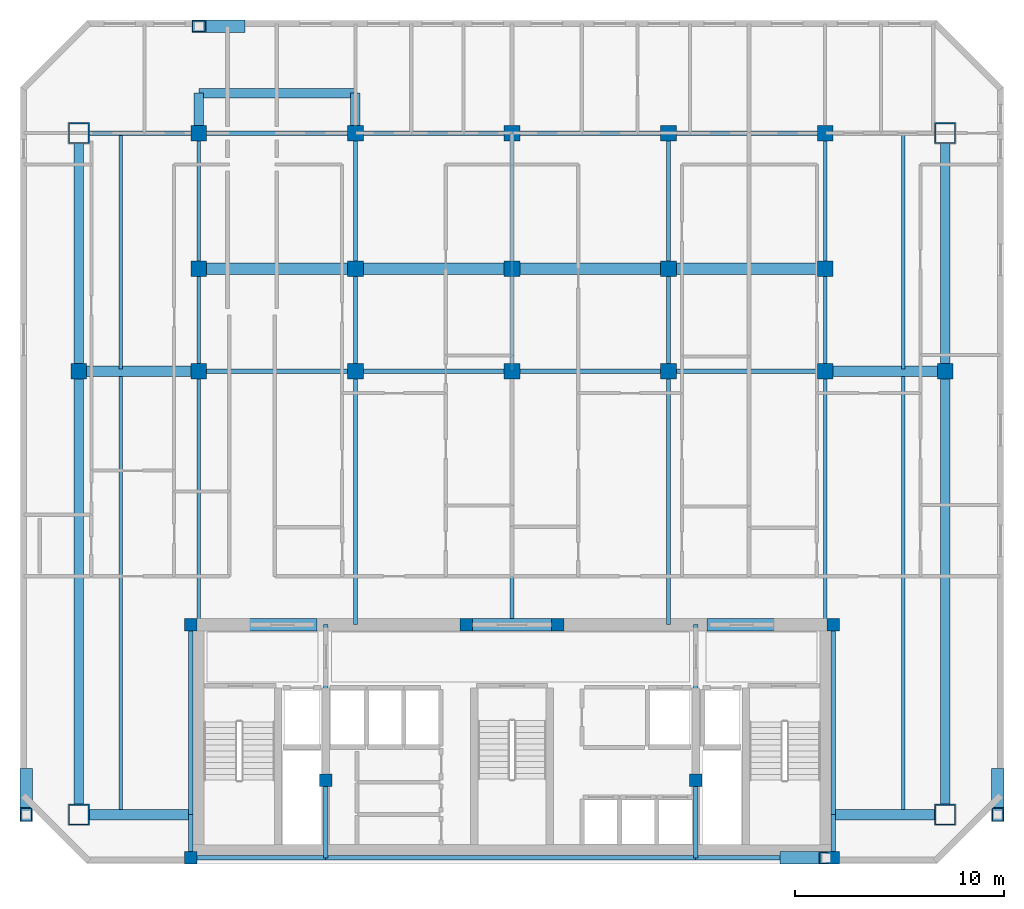
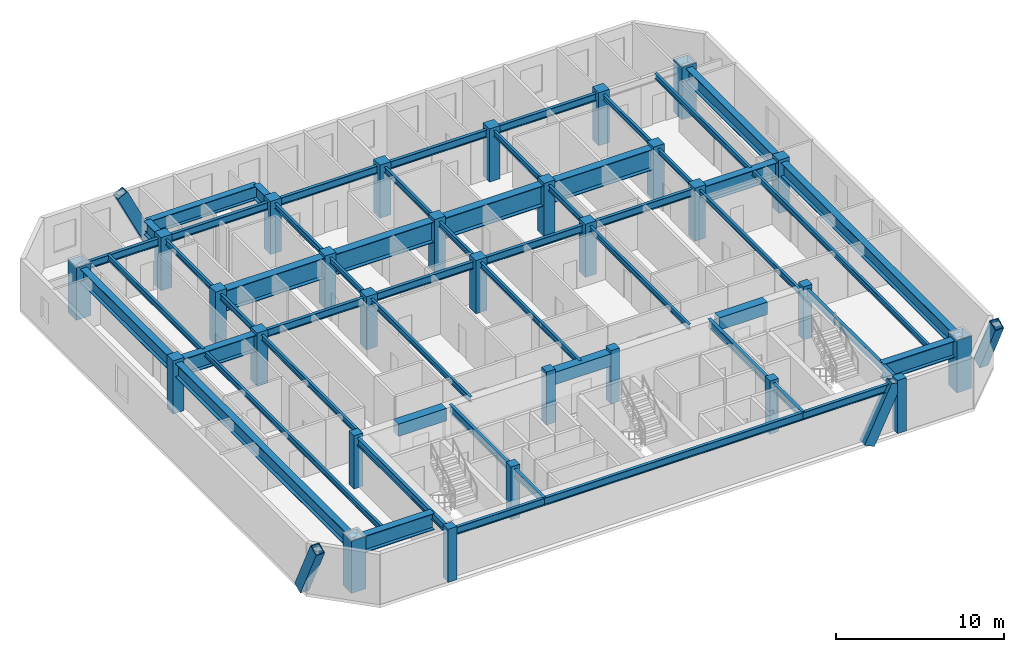
# One storey, part 1 of 9: 50 beams, 29 columns, 4 members.
"""IFC4 building model written with IfcOpenShell, lengths in metres."""

from ifc_helpers import new_model, si_unit, direction, frame, origin, origin_2d, place, context, subcontext, project, spatial, rectangle, hollow_rectangle, i_section, extrude, material, material_profile, profile_set, type_object, element, save


model = new_model("IFC4")

# Units and contexts
model_context = context("Model", 3, precision=1e-05, world=origin(), true_north=direction((0.0, 1.0)))
body_context = subcontext(model_context, "Body", "Model", "MODEL_VIEW")
ifc_project = project(units=[si_unit("LENGTHUNIT", "METRE"), si_unit("AREAUNIT", "SQUARE_METRE"), si_unit("VOLUMEUNIT", "CUBIC_METRE"), si_unit("PLANEANGLEUNIT", "RADIAN"), si_unit("MASSUNIT", "GRAM", prefix="KILO")], contexts=[model_context])

# Site, building, storey
site_placement = place(None, origin())
site = spatial("IfcSite", under=ifc_project, at=site_placement, CompositionType="ELEMENT")
building_placement = place(site_placement, origin())
building = spatial("IfcBuilding", under=site, at=building_placement, Name="Ventersveld Concourse Tower", CompositionType="ELEMENT")
storey_placement = place(building_placement, frame((0.0, 0.0, 215.699951171875)))
storey = spatial("IfcBuildingStorey", under=building, at=storey_placement, Name="L53", CompositionType="ELEMENT", Elevation=215.699951171875)

# Columns
ifc_material_1 = material(Name="Concrete C50/60", Category="concrete")
ifc_material_profile_1 = material_profile(ifc_material_1, rectangle(XDim=0.60009765625, YDim=0.60009765625, at=origin_2d()), Name="RC 600x600")
ifc_profile_set_1 = profile_set([ifc_material_profile_1], Name="Concrete C50/60")
column_type_1 = type_object("IfcColumnType", Name="COL-RC600", PredefinedType="COLUMN", material=ifc_profile_set_1)
for number, where, z_axis, x_axis, name in (
    (1, (13.35009765625, 0.280029296875, 0.0), (0.0, 0.0, 1.0), (1.0, 0.0, 0.0), "L53 Core Spine Column CC-SW"),
    (2, (44.14990234375, 0.280029296875, 0.0), (0.0, 0.0, 1.0), (1.0, 0.0, 0.0), "L53 Core Spine Column CC-SE"),
    (3, (13.35009765625, 11.449951171875, 0.0), (0.0, 0.0, 1.0), (1.0, 0.0, 0.0), "L53 Core Spine Column CC-NW"),
    (4, (44.14990234375, 11.449951171875, 0.0), (0.0, 0.0, 1.0), (1.0, 0.0, 0.0), "L53 Core Spine Column CC-NE"),
    (5, (19.820068359375, 4.0, 0.0), (0.0, 0.0, 1.0), (1.0, 0.0, 0.0), "L53 Core Spine Column CM-1"),
    (6, (37.550048828125, 4.0, 0.0), (0.0, 0.0, 1.0), (1.0, 0.0, 0.0), "L53 Core Spine Column CM-2"),
    (7, (26.550048828125, 11.449951171875, 0.0), (0.0, 0.0, 1.0), (1.0, 0.0, 0.0), "L53 Core Spine Column CM-3"),
    (8, (30.949951171875, 11.449951171875, 0.0), (0.0, 0.0, 1.0), (1.0, 0.0, 0.0), "L53 Core Spine Column CM-4"),
):
    element("IfcColumn", number, at=place(storey_placement, frame(where, z_axis=z_axis, x_axis=x_axis)), inside=storey, type_object=column_type_1, Name=name, PredefinedType="COLUMN", context=body_context, shape_type="SweptSolid", body=[
        extrude(rectangle(XDim=0.60009765625, YDim=0.60009765625, at=origin_2d()), origin(), (0.0, 0.0, 1.0), 3.85009765625),
    ])
ifc_material_profile_2 = material_profile(ifc_material_1, rectangle(XDim=0.75, YDim=0.75, at=origin_2d()), Name="RC 750x750")
ifc_profile_set_2 = profile_set([ifc_material_profile_2], Name="Concrete C50/60")
column_type_2 = type_object("IfcColumnType", Name="COL-RC750", PredefinedType="COLUMN", material=ifc_profile_set_2)
for number, where, z_axis, x_axis, name in (
    (9, (8.0, 23.60009765625, 0.0), (0.0, 0.0, 1.0), (1.0, 0.0, 0.0), "L53 Interior Gravity Column X=8.00 Y=23.60"),
    (10, (13.75, 23.60009765625, 0.0), (0.0, 0.0, 1.0), (1.0, 0.0, 0.0), "L53 Interior Gravity Column X=13.75 Y=23.60"),
    (11, (21.25, 23.60009765625, 0.0), (0.0, 0.0, 1.0), (1.0, 0.0, 0.0), "L53 Interior Gravity Column X=21.25 Y=23.60"),
    (12, (28.75, 23.60009765625, 0.0), (0.0, 0.0, 1.0), (1.0, 0.0, 0.0), "L53 Interior Gravity Column X=28.75 Y=23.60"),
    (13, (36.25, 23.60009765625, 0.0), (0.0, 0.0, 1.0), (1.0, 0.0, 0.0), "L53 Interior Gravity Column X=36.25 Y=23.60"),
    (14, (43.75, 23.60009765625, 0.0), (0.0, 0.0, 1.0), (1.0, 0.0, 0.0), "L53 Interior Gravity Column X=43.75 Y=23.60"),
    (15, (49.5, 23.60009765625, 0.0), (0.0, 0.0, 1.0), (1.0, 0.0, 0.0), "L53 Interior Gravity Column X=49.50 Y=23.60"),
    (16, (13.75, 28.5, 0.0), (0.0, 0.0, 1.0), (1.0, 0.0, 0.0), "L53 Upper-North Gravity Column X=13.75 Y=28.50"),
    (17, (21.25, 28.5, 0.0), (0.0, 0.0, 1.0), (1.0, 0.0, 0.0), "L53 Upper-North Gravity Column X=21.25 Y=28.50"),
    (18, (28.75, 28.5, 0.0), (0.0, 0.0, 1.0), (1.0, 0.0, 0.0), "L53 Upper-North Gravity Column X=28.75 Y=28.50"),
    (19, (36.25, 28.5, 0.0), (0.0, 0.0, 1.0), (1.0, 0.0, 0.0), "L53 Upper-North Gravity Column X=36.25 Y=28.50"),
    (20, (43.75, 28.5, 0.0), (0.0, 0.0, 1.0), (1.0, 0.0, 0.0), "L53 Upper-North Gravity Column X=43.75 Y=28.50"),
    (21, (13.75, 35.0, 0.0), (0.0, 0.0, 1.0), (1.0, 0.0, 0.0), "L53 Mid-North Column X=13.75 Y=35.00"),
    (22, (21.25, 35.0, 0.0), (0.0, 0.0, 1.0), (1.0, 0.0, 0.0), "L53 Mid-North Column X=21.25 Y=35.00"),
    (23, (28.75, 35.0, 0.0), (0.0, 0.0, 1.0), (1.0, 0.0, 0.0), "L53 Mid-North Column X=28.75 Y=35.00"),
    (24, (36.25, 35.0, 0.0), (0.0, 0.0, 1.0), (1.0, 0.0, 0.0), "L53 Mid-North Column X=36.25 Y=35.00"),
    (25, (43.75, 35.0, 0.0), (0.0, 0.0, 1.0), (1.0, 0.0, 0.0), "L53 Mid-North Column X=43.75 Y=35.00"),
):
    element("IfcColumn", number, at=place(storey_placement, frame(where, z_axis=z_axis, x_axis=x_axis)), inside=storey, type_object=column_type_2, Name=name, PredefinedType="COLUMN", context=body_context, shape_type="SweptSolid", body=[
        extrude(rectangle(XDim=0.75, YDim=0.75, at=origin_2d()), origin(), (0.0, 0.0, 1.0), 3.85009765625),
    ])
ifc_material_2 = material(Name="Structural steel S460ML", Category="steel")
ifc_material_profile_3 = material_profile(ifc_material_2, hollow_rectangle(XDim=1.0, YDim=1.0, WallThickness=0.06005859375, at=origin_2d()), Name="BOX 1000x1000x60")
ifc_profile_set_3 = profile_set([ifc_material_profile_3], Name="Structural steel S460ML")
column_type_3 = type_object("IfcColumnType", Name="MC-1000", PredefinedType="USERDEFINED", material=ifc_profile_set_3)
for number, where, z_axis, x_axis, name in (
    (26, (8.0, 2.35009765625, 0.0), (0.0, 0.0, 1.0), (1.0, 0.0, 0.0), "L53 Corner Mega-Column MC-SW"),
    (27, (49.5, 2.35009765625, 0.0), (0.0, 0.0, 1.0), (1.0, 0.0, 0.0), "L53 Corner Mega-Column MC-SE"),
    (28, (49.5, 35.0, 0.0), (0.0, 0.0, 1.0), (1.0, 0.0, 0.0), "L53 Corner Mega-Column MC-NE"),
    (29, (8.0, 35.0, 0.0), (0.0, 0.0, 1.0), (1.0, 0.0, 0.0), "L53 Corner Mega-Column MC-NW"),
):
    element("IfcColumn", number, at=place(storey_placement, frame(where, z_axis=z_axis, x_axis=x_axis)), inside=storey, type_object=column_type_3, Name=name, ObjectType="MEGA_COLUMN", PredefinedType="USERDEFINED", context=body_context, shape_type="SweptSolid", body=[
        extrude(hollow_rectangle(XDim=1.0, YDim=1.0, WallThickness=0.06005859375, at=origin_2d()), origin(), (0.0, 0.0, 1.0), 3.800048828125),
    ])

# Beams
ifc_material_3 = material(Name="Structural steel S355J2", Category="steel")
ifc_material_profile_4 = material_profile(ifc_material_3, i_section(OverallWidth=0.177978515625, OverallDepth=0.406494140625, WebThickness=0.0078125, FlangeThickness=0.0126953125, FilletRadius=0.01025390625, at=origin_2d()), Name="UB 406x178x60")
ifc_profile_set_4 = profile_set([ifc_material_profile_4], Name="Structural steel S355J2")
beam_type_1 = type_object("IfcBeamType", Name="BM-UB406", PredefinedType="BEAM", material=ifc_profile_set_4)
beam_1_placement = place(storey_placement, frame((10.0, 2.35009765625, 3.4267578125), z_axis=(0.0, 1.0, 0.0), x_axis=(-1.0, 0.0, 0.0)))
element("IfcBeam", 30, at=beam_1_placement, inside=storey, type_object=beam_type_1, Name="L53 N-S Composite Floor Beam South X=10.00", PredefinedType="BEAM", context=body_context, shape_type="SweptSolid", body=[
    extrude(i_section(OverallWidth=0.177978515625, OverallDepth=0.406494140625, WebThickness=0.0078125, FlangeThickness=0.0126953125, FilletRadius=0.01025390625, at=origin_2d()), origin(), (0.0, 0.0, 1.0), 21.15478515625),
])
beam_2_placement = place(storey_placement, frame((10.0, 23.695068359375, 3.4267578125), z_axis=(0.0, 1.0, 0.0), x_axis=(-1.0, 0.0, 0.0)))
element("IfcBeam", 31, at=beam_2_placement, inside=storey, type_object=beam_type_1, Name="L53 N-S Composite Floor Beam Mid X=10.00", PredefinedType="BEAM", context=body_context, shape_type="SweptSolid", body=[
    extrude(i_section(OverallWidth=0.177978515625, OverallDepth=0.406494140625, WebThickness=0.0078125, FlangeThickness=0.0126953125, FilletRadius=0.01025390625, at=origin_2d()), origin(), (0.0, 0.0, 1.0), 11.304931640625),
])
beam_3_placement = place(storey_placement, frame((13.75, 11.449951171875, 3.4267578125), z_axis=(0.0, 1.0, 0.0), x_axis=(-1.0, 0.0, 0.0)))
element("IfcBeam", 32, at=beam_3_placement, inside=storey, type_object=beam_type_1, Name="L53 N-S Composite Floor Beam South X=13.75", PredefinedType="BEAM", context=body_context, shape_type="SweptSolid", body=[
    extrude(i_section(OverallWidth=0.177978515625, OverallDepth=0.406494140625, WebThickness=0.0078125, FlangeThickness=0.0126953125, FilletRadius=0.01025390625, at=origin_2d()), origin(), (0.0, 0.0, 1.0), 12.150146484375),
])
beam_4_placement = place(storey_placement, frame((13.75, 23.60009765625, 3.4267578125), z_axis=(0.0, 1.0, 0.0), x_axis=(-1.0, 0.0, 0.0)))
element("IfcBeam", 33, at=beam_4_placement, inside=storey, type_object=beam_type_1, Name="L53 N-S Composite Floor Beam Mid X=13.75", PredefinedType="BEAM", context=body_context, shape_type="SweptSolid", body=[
    extrude(i_section(OverallWidth=0.177978515625, OverallDepth=0.406494140625, WebThickness=0.0078125, FlangeThickness=0.0126953125, FilletRadius=0.01025390625, at=origin_2d()), origin(), (0.0, 0.0, 1.0), 11.39990234375),
])
beam_5_placement = place(storey_placement, frame((21.25, 11.449951171875, 3.4267578125), z_axis=(0.0, 1.0, 0.0), x_axis=(-1.0, 0.0, 0.0)))
element("IfcBeam", 34, at=beam_5_placement, inside=storey, type_object=beam_type_1, Name="L53 N-S Composite Floor Beam South X=21.25", PredefinedType="BEAM", context=body_context, shape_type="SweptSolid", body=[
    extrude(i_section(OverallWidth=0.177978515625, OverallDepth=0.406494140625, WebThickness=0.0078125, FlangeThickness=0.0126953125, FilletRadius=0.01025390625, at=origin_2d()), origin(), (0.0, 0.0, 1.0), 12.150146484375),
])
beam_6_placement = place(storey_placement, frame((21.25, 23.60009765625, 3.4267578125), z_axis=(0.0, 1.0, 0.0), x_axis=(-1.0, 0.0, 0.0)))
element("IfcBeam", 35, at=beam_6_placement, inside=storey, type_object=beam_type_1, Name="L53 N-S Composite Floor Beam Mid X=21.25", PredefinedType="BEAM", context=body_context, shape_type="SweptSolid", body=[
    extrude(i_section(OverallWidth=0.177978515625, OverallDepth=0.406494140625, WebThickness=0.0078125, FlangeThickness=0.0126953125, FilletRadius=0.01025390625, at=origin_2d()), origin(), (0.0, 0.0, 1.0), 11.39990234375),
])
beam_7_placement = place(storey_placement, frame((28.75, 11.449951171875, 3.4267578125), z_axis=(0.0, 1.0, 0.0), x_axis=(-1.0, 0.0, 0.0)))
element("IfcBeam", 36, at=beam_7_placement, inside=storey, type_object=beam_type_1, Name="L53 N-S Composite Floor Beam South X=28.75", PredefinedType="BEAM", context=body_context, shape_type="SweptSolid", body=[
    extrude(i_section(OverallWidth=0.177978515625, OverallDepth=0.406494140625, WebThickness=0.0078125, FlangeThickness=0.0126953125, FilletRadius=0.01025390625, at=origin_2d()), origin(), (0.0, 0.0, 1.0), 12.150146484375),
])
beam_8_placement = place(storey_placement, frame((28.75, 23.60009765625, 3.4267578125), z_axis=(0.0, 1.0, 0.0), x_axis=(-1.0, 0.0, 0.0)))
element("IfcBeam", 37, at=beam_8_placement, inside=storey, type_object=beam_type_1, Name="L53 N-S Composite Floor Beam Mid X=28.75", PredefinedType="BEAM", context=body_context, shape_type="SweptSolid", body=[
    extrude(i_section(OverallWidth=0.177978515625, OverallDepth=0.406494140625, WebThickness=0.0078125, FlangeThickness=0.0126953125, FilletRadius=0.01025390625, at=origin_2d()), origin(), (0.0, 0.0, 1.0), 11.39990234375),
])
beam_9_placement = place(storey_placement, frame((36.25, 11.449951171875, 3.4267578125), z_axis=(0.0, 1.0, 0.0), x_axis=(-1.0, 0.0, 0.0)))
element("IfcBeam", 38, at=beam_9_placement, inside=storey, type_object=beam_type_1, Name="L53 N-S Composite Floor Beam South X=36.25", PredefinedType="BEAM", context=body_context, shape_type="SweptSolid", body=[
    extrude(i_section(OverallWidth=0.177978515625, OverallDepth=0.406494140625, WebThickness=0.0078125, FlangeThickness=0.0126953125, FilletRadius=0.01025390625, at=origin_2d()), origin(), (0.0, 0.0, 1.0), 12.150146484375),
])
beam_10_placement = place(storey_placement, frame((36.25, 23.60009765625, 3.4267578125), z_axis=(0.0, 1.0, 0.0), x_axis=(-1.0, 0.0, 0.0)))
element("IfcBeam", 39, at=beam_10_placement, inside=storey, type_object=beam_type_1, Name="L53 N-S Composite Floor Beam Mid X=36.25", PredefinedType="BEAM", context=body_context, shape_type="SweptSolid", body=[
    extrude(i_section(OverallWidth=0.177978515625, OverallDepth=0.406494140625, WebThickness=0.0078125, FlangeThickness=0.0126953125, FilletRadius=0.01025390625, at=origin_2d()), origin(), (0.0, 0.0, 1.0), 11.39990234375),
])
beam_11_placement = place(storey_placement, frame((43.75, 11.449951171875, 3.4267578125), z_axis=(0.0, 1.0, 0.0), x_axis=(-1.0, 0.0, 0.0)))
element("IfcBeam", 40, at=beam_11_placement, inside=storey, type_object=beam_type_1, Name="L53 N-S Composite Floor Beam South X=43.75", PredefinedType="BEAM", context=body_context, shape_type="SweptSolid", body=[
    extrude(i_section(OverallWidth=0.177978515625, OverallDepth=0.406494140625, WebThickness=0.0078125, FlangeThickness=0.0126953125, FilletRadius=0.01025390625, at=origin_2d()), origin(), (0.0, 0.0, 1.0), 12.150146484375),
])
beam_12_placement = place(storey_placement, frame((43.75, 23.60009765625, 3.4267578125), z_axis=(0.0, 1.0, 0.0), x_axis=(-1.0, 0.0, 0.0)))
element("IfcBeam", 41, at=beam_12_placement, inside=storey, type_object=beam_type_1, Name="L53 N-S Composite Floor Beam Mid X=43.75", PredefinedType="BEAM", context=body_context, shape_type="SweptSolid", body=[
    extrude(i_section(OverallWidth=0.177978515625, OverallDepth=0.406494140625, WebThickness=0.0078125, FlangeThickness=0.0126953125, FilletRadius=0.01025390625, at=origin_2d()), origin(), (0.0, 0.0, 1.0), 11.39990234375),
])
beam_13_placement = place(storey_placement, frame((47.5, 2.35009765625, 3.4267578125), z_axis=(0.0, 1.0, 0.0), x_axis=(-1.0, 0.0, 0.0)))
element("IfcBeam", 42, at=beam_13_placement, inside=storey, type_object=beam_type_1, Name="L53 N-S Composite Floor Beam South X=47.50", PredefinedType="BEAM", context=body_context, shape_type="SweptSolid", body=[
    extrude(i_section(OverallWidth=0.177978515625, OverallDepth=0.406494140625, WebThickness=0.0078125, FlangeThickness=0.0126953125, FilletRadius=0.01025390625, at=origin_2d()), origin(), (0.0, 0.0, 1.0), 21.15478515625),
])
beam_14_placement = place(storey_placement, frame((47.5, 23.695068359375, 3.4267578125), z_axis=(0.0, 1.0, 0.0), x_axis=(-1.0, 0.0, 0.0)))
element("IfcBeam", 43, at=beam_14_placement, inside=storey, type_object=beam_type_1, Name="L53 N-S Composite Floor Beam Mid X=47.50", PredefinedType="BEAM", context=body_context, shape_type="SweptSolid", body=[
    extrude(i_section(OverallWidth=0.177978515625, OverallDepth=0.406494140625, WebThickness=0.0078125, FlangeThickness=0.0126953125, FilletRadius=0.01025390625, at=origin_2d()), origin(), (0.0, 0.0, 1.0), 11.304931640625),
])
ifc_material_profile_5 = material_profile(ifc_material_1, rectangle(XDim=0.60009765625, YDim=0.89990234375, at=origin_2d()), Name="RC 600x900")
ifc_profile_set_5 = profile_set([ifc_material_profile_5], Name="Concrete C50/60")
beam_type_2 = type_object("IfcBeamType", Name="CB-RC600x900U", PredefinedType="LINTEL", material=ifc_profile_set_5)
beam_15_placement = place(storey_placement, frame((16.10009765625, 11.449951171875, 3.179931640625), z_axis=(1.0, 0.0, 0.0), x_axis=(0.0, 1.0, 0.0)))
element("IfcBeam", 44, at=beam_15_placement, inside=storey, type_object=beam_type_2, Name="L53 Core Coupling Lintel Beam 1", PredefinedType="LINTEL", context=body_context, shape_type="SweptSolid", body=[
    extrude(rectangle(XDim=0.60009765625, YDim=0.89990234375, at=origin_2d()), origin(), (0.0, 0.0, 1.0), 3.2998046875),
])
beam_16_placement = place(storey_placement, frame((26.5, 11.449951171875, 3.179931640625), z_axis=(1.0, 0.0, 0.0), x_axis=(0.0, 1.0, 0.0)))
element("IfcBeam", 45, at=beam_16_placement, inside=storey, type_object=beam_type_2, Name="L53 Core Coupling Lintel Beam 2", PredefinedType="LINTEL", context=body_context, shape_type="SweptSolid", body=[
    extrude(rectangle(XDim=0.60009765625, YDim=0.89990234375, at=origin_2d()), origin(), (0.0, 0.0, 1.0), 4.5),
])
beam_17_placement = place(storey_placement, frame((38.10009765625, 11.449951171875, 3.179931640625), z_axis=(1.0, 0.0, 0.0), x_axis=(0.0, 1.0, 0.0)))
element("IfcBeam", 46, at=beam_17_placement, inside=storey, type_object=beam_type_2, Name="L53 Core Coupling Lintel Beam 3", PredefinedType="LINTEL", context=body_context, shape_type="SweptSolid", body=[
    extrude(rectangle(XDim=0.60009765625, YDim=0.89990234375, at=origin_2d()), origin(), (0.0, 0.0, 1.0), 3.2998046875),
])
ifc_material_profile_6 = material_profile(ifc_material_3, i_section(OverallWidth=0.2119140625, OverallDepth=0.54443359375, WebThickness=0.0126953125, FlangeThickness=0.021240234375, FilletRadius=0.0126953125, at=origin_2d()), Name="UB 533x210x122")
ifc_profile_set_6 = profile_set([ifc_material_profile_6], Name="Structural steel S355J2")
beam_type_3 = type_object("IfcBeamType", Name="GRD-UB533H", PredefinedType="T_BEAM", material=ifc_profile_set_6)
beam_18_placement = place(storey_placement, frame((13.35009765625, 0.280029296875, 3.357666015625), z_axis=(0.0, 1.0, 0.0), x_axis=(-1.0, 0.0, 0.0)))
element("IfcBeam", 47, at=beam_18_placement, inside=storey, type_object=beam_type_3, Name="L53 Core West Tie Beam S", PredefinedType="T_BEAM", context=body_context, shape_type="SweptSolid", body=[
    extrude(i_section(OverallWidth=0.2119140625, OverallDepth=0.54443359375, WebThickness=0.0126953125, FlangeThickness=0.021240234375, FilletRadius=0.0126953125, at=origin_2d()), origin(), (0.0, 0.0, 1.0), 2.070068359375),
])
beam_19_placement = place(storey_placement, frame((13.35009765625, 2.35009765625, 3.357666015625), z_axis=(0.0, 1.0, 0.0), x_axis=(-1.0, 0.0, 0.0)))
element("IfcBeam", 48, at=beam_19_placement, inside=storey, type_object=beam_type_3, Name="L53 Core West Tie Beam N", PredefinedType="T_BEAM", context=body_context, shape_type="SweptSolid", body=[
    extrude(i_section(OverallWidth=0.2119140625, OverallDepth=0.54443359375, WebThickness=0.0126953125, FlangeThickness=0.021240234375, FilletRadius=0.0126953125, at=origin_2d()), origin(), (0.0, 0.0, 1.0), 9.099853515625),
])
beam_20_placement = place(storey_placement, frame((44.14990234375, 0.280029296875, 3.357666015625), z_axis=(0.0, 1.0, 0.0), x_axis=(-1.0, 0.0, 0.0)))
element("IfcBeam", 49, at=beam_20_placement, inside=storey, type_object=beam_type_3, Name="L53 Core East Tie Beam S", PredefinedType="T_BEAM", context=body_context, shape_type="SweptSolid", body=[
    extrude(i_section(OverallWidth=0.2119140625, OverallDepth=0.54443359375, WebThickness=0.0126953125, FlangeThickness=0.021240234375, FilletRadius=0.0126953125, at=origin_2d()), origin(), (0.0, 0.0, 1.0), 2.070068359375),
])
beam_21_placement = place(storey_placement, frame((44.14990234375, 2.35009765625, 3.357666015625), z_axis=(0.0, 1.0, 0.0), x_axis=(-1.0, 0.0, 0.0)))
element("IfcBeam", 50, at=beam_21_placement, inside=storey, type_object=beam_type_3, Name="L53 Core East Tie Beam N", PredefinedType="T_BEAM", context=body_context, shape_type="SweptSolid", body=[
    extrude(i_section(OverallWidth=0.2119140625, OverallDepth=0.54443359375, WebThickness=0.0126953125, FlangeThickness=0.021240234375, FilletRadius=0.0126953125, at=origin_2d()), origin(), (0.0, 0.0, 1.0), 9.099853515625),
])
beam_22_placement = place(storey_placement, frame((13.35009765625, 0.280029296875, 3.357666015625), z_axis=(1.0, 0.0, 0.0), x_axis=(0.0, 1.0, 0.0)))
element("IfcBeam", 51, at=beam_22_placement, inside=storey, type_object=beam_type_3, Name="L53 Core South Tie Beam W", PredefinedType="T_BEAM", context=body_context, shape_type="SweptSolid", body=[
    extrude(i_section(OverallWidth=0.2119140625, OverallDepth=0.54443359375, WebThickness=0.0126953125, FlangeThickness=0.021240234375, FilletRadius=0.0126953125, at=origin_2d()), origin(), (0.0, 0.0, 1.0), 6.469970703125),
])
beam_23_placement = place(storey_placement, frame((19.820068359375, 0.280029296875, 3.357666015625), z_axis=(1.0, 0.0, 0.0), x_axis=(0.0, 1.0, 0.0)))
element("IfcBeam", 52, at=beam_23_placement, inside=storey, type_object=beam_type_3, Name="L53 Core South Tie Beam C", PredefinedType="T_BEAM", context=body_context, shape_type="SweptSolid", body=[
    extrude(i_section(OverallWidth=0.2119140625, OverallDepth=0.54443359375, WebThickness=0.0126953125, FlangeThickness=0.021240234375, FilletRadius=0.0126953125, at=origin_2d()), origin(), (0.0, 0.0, 1.0), 17.72998046875),
])
beam_24_placement = place(storey_placement, frame((37.550048828125, 0.280029296875, 3.357666015625), z_axis=(1.0, 0.0, 0.0), x_axis=(0.0, 1.0, 0.0)))
element("IfcBeam", 53, at=beam_24_placement, inside=storey, type_object=beam_type_3, Name="L53 Core South Tie Beam E", PredefinedType="T_BEAM", context=body_context, shape_type="SweptSolid", body=[
    extrude(i_section(OverallWidth=0.2119140625, OverallDepth=0.54443359375, WebThickness=0.0126953125, FlangeThickness=0.021240234375, FilletRadius=0.0126953125, at=origin_2d()), origin(), (0.0, 0.0, 1.0), 6.599853515625),
])
beam_25_placement = place(storey_placement, frame((19.820068359375, 0.280029296875, 3.357666015625), z_axis=(0.0, 1.0, 0.0), x_axis=(-1.0, 0.0, 0.0)))
element("IfcBeam", 54, at=beam_25_placement, inside=storey, type_object=beam_type_3, Name="L53 Core Spine N-S Tie Beam W1", PredefinedType="T_BEAM", context=body_context, shape_type="SweptSolid", body=[
    extrude(i_section(OverallWidth=0.2119140625, OverallDepth=0.54443359375, WebThickness=0.0126953125, FlangeThickness=0.021240234375, FilletRadius=0.0126953125, at=origin_2d()), origin(), (0.0, 0.0, 1.0), 3.719970703125),
])
beam_26_placement = place(storey_placement, frame((19.820068359375, 4.0, 3.357666015625), z_axis=(0.0, 1.0, 0.0), x_axis=(-1.0, 0.0, 0.0)))
element("IfcBeam", 55, at=beam_26_placement, inside=storey, type_object=beam_type_3, Name="L53 Core Spine N-S Tie Beam W2", PredefinedType="T_BEAM", context=body_context, shape_type="SweptSolid", body=[
    extrude(i_section(OverallWidth=0.2119140625, OverallDepth=0.54443359375, WebThickness=0.0126953125, FlangeThickness=0.021240234375, FilletRadius=0.0126953125, at=origin_2d()), origin(), (0.0, 0.0, 1.0), 7.449951171875),
])
beam_27_placement = place(storey_placement, frame((37.550048828125, 0.280029296875, 3.357666015625), z_axis=(0.0, 1.0, 0.0), x_axis=(-1.0, 0.0, 0.0)))
element("IfcBeam", 56, at=beam_27_placement, inside=storey, type_object=beam_type_3, Name="L53 Core Spine N-S Tie Beam E1", PredefinedType="T_BEAM", context=body_context, shape_type="SweptSolid", body=[
    extrude(i_section(OverallWidth=0.2119140625, OverallDepth=0.54443359375, WebThickness=0.0126953125, FlangeThickness=0.021240234375, FilletRadius=0.0126953125, at=origin_2d()), origin(), (0.0, 0.0, 1.0), 3.719970703125),
])
beam_28_placement = place(storey_placement, frame((37.550048828125, 4.0, 3.357666015625), z_axis=(0.0, 1.0, 0.0), x_axis=(-1.0, 0.0, 0.0)))
element("IfcBeam", 57, at=beam_28_placement, inside=storey, type_object=beam_type_3, Name="L53 Core Spine N-S Tie Beam E2", PredefinedType="T_BEAM", context=body_context, shape_type="SweptSolid", body=[
    extrude(i_section(OverallWidth=0.2119140625, OverallDepth=0.54443359375, WebThickness=0.0126953125, FlangeThickness=0.021240234375, FilletRadius=0.0126953125, at=origin_2d()), origin(), (0.0, 0.0, 1.0), 7.449951171875),
])
for number, where, z_axis, x_axis, name in (
    (58, (13.75, 23.60009765625, 3.357666015625), (1.0, 0.0, 0.0), (0.0, 1.0, 0.0), "L53 Primary E-W Grid Girder Y=23.60 #2"),
    (59, (21.25, 23.60009765625, 3.357666015625), (1.0, 0.0, 0.0), (0.0, 1.0, 0.0), "L53 Primary E-W Grid Girder Y=23.60 #3"),
    (60, (28.75, 23.60009765625, 3.357666015625), (1.0, 0.0, 0.0), (0.0, 1.0, 0.0), "L53 Primary E-W Grid Girder Y=23.60 #4"),
    (61, (36.25, 23.60009765625, 3.357666015625), (1.0, 0.0, 0.0), (0.0, 1.0, 0.0), "L53 Primary E-W Grid Girder Y=23.60 #5"),
):
    element("IfcBeam", number, at=place(storey_placement, frame(where, z_axis=z_axis, x_axis=x_axis)), inside=storey, type_object=beam_type_3, Name=name, PredefinedType="T_BEAM", context=body_context, shape_type="SweptSolid", body=[
        extrude(i_section(OverallWidth=0.2119140625, OverallDepth=0.54443359375, WebThickness=0.0126953125, FlangeThickness=0.021240234375, FilletRadius=0.0126953125, at=origin_2d()), origin(), (0.0, 0.0, 1.0), 7.5),
    ])
beam_29_placement = place(storey_placement, frame((8.0, 35.0, 3.357666015625), z_axis=(1.0, 0.0, 0.0), x_axis=(0.0, 1.0, 0.0)))
element("IfcBeam", 62, at=beam_29_placement, inside=storey, type_object=beam_type_3, Name="L53 E-W Grid Girder Y=35.00 #1", PredefinedType="T_BEAM", context=body_context, shape_type="SweptSolid", body=[
    extrude(i_section(OverallWidth=0.2119140625, OverallDepth=0.54443359375, WebThickness=0.0126953125, FlangeThickness=0.021240234375, FilletRadius=0.0126953125, at=origin_2d()), origin(), (0.0, 0.0, 1.0), 5.75),
])
for number, where, z_axis, x_axis, name in (
    (63, (13.75, 35.0, 3.357666015625), (1.0, 0.0, 0.0), (0.0, 1.0, 0.0), "L53 E-W Grid Girder Y=35.00 #2"),
    (64, (21.25, 35.0, 3.357666015625), (1.0, 0.0, 0.0), (0.0, 1.0, 0.0), "L53 E-W Grid Girder Y=35.00 #3"),
    (65, (28.75, 35.0, 3.357666015625), (1.0, 0.0, 0.0), (0.0, 1.0, 0.0), "L53 E-W Grid Girder Y=35.00 #4"),
    (66, (36.25, 35.0, 3.357666015625), (1.0, 0.0, 0.0), (0.0, 1.0, 0.0), "L53 E-W Grid Girder Y=35.00 #5"),
):
    element("IfcBeam", number, at=place(storey_placement, frame(where, z_axis=z_axis, x_axis=x_axis)), inside=storey, type_object=beam_type_3, Name=name, PredefinedType="T_BEAM", context=body_context, shape_type="SweptSolid", body=[
        extrude(i_section(OverallWidth=0.2119140625, OverallDepth=0.54443359375, WebThickness=0.0126953125, FlangeThickness=0.021240234375, FilletRadius=0.0126953125, at=origin_2d()), origin(), (0.0, 0.0, 1.0), 7.5),
    ])

# Members
ifc_material_4 = material(Name="Structural steel S355ML", Category="steel")
ifc_material_profile_7 = material_profile(ifc_material_4, hollow_rectangle(XDim=0.60009765625, YDim=0.75, WallThickness=0.0400390625, at=origin_2d()), Name="BOX 750x600x40")
ifc_profile_set_7 = profile_set([ifc_material_profile_7], Name="Structural steel S355ML")
member_type = type_object("IfcMemberType", Name="MB-750x600", PredefinedType="BRACE", material=ifc_profile_set_7)
for number, where, z_axis, x_axis, name in (
    (67, (15.625, 40.1201171875, -0.219970703125), (-0.437839464193, 0.0, 0.899053170616), (0.0, -1.0, 0.0), "L53 Exterior Mega-Brace N (Module M12)"),
    (68, (41.925048828125, 0.280029296875, -0.219970703125), (0.437839464193, 0.0, 0.899053170616), (0.0, 1.0, 0.0), "L53 Exterior Mega-Brace S (Module M12)"),
    (69, (5.47998046875, 4.22509765625, -0.219970703125), (0.0, -0.437839464193, 0.899053170616), (1.0, 0.0, 0.0), "L53 Exterior Mega-Brace W (Module M12)"),
    (70, (52.02001953125, 4.22509765625, -0.219970703125), (0.0, -0.437839464193, 0.899053170616), (1.0, 0.0, 0.0), "L53 Exterior Mega-Brace E (Module M12)"),
):
    element("IfcMember", number, at=place(storey_placement, frame(where, z_axis=z_axis, x_axis=x_axis)), inside=storey, type_object=member_type, Name=name, PredefinedType="BRACE", context=body_context, shape_type="SweptSolid", body=[
        extrude(hollow_rectangle(XDim=0.60009765625, YDim=0.75, WallThickness=0.0400390625, at=origin_2d()), origin(), (0.0, 0.0, 1.0), 4.282470703125),
    ])

# Beams
ifc_material_profile_8 = material_profile(ifc_material_2, i_section(OverallWidth=0.449951171875, OverallDepth=1.0, WebThickness=0.02392578125, FlangeThickness=0.0400390625, at=origin_2d()), Name="PG 1000x450x40")
ifc_profile_set_8 = profile_set([ifc_material_profile_8], Name="Structural steel S460ML")
beam_type_4 = type_object("IfcBeamType", Name="TG-PG1000", PredefinedType="USERDEFINED", material=ifc_profile_set_8)
beam_30_placement = place(storey_placement, frame((8.0, 2.35009765625, 3.130126953125), z_axis=(0.0, 1.0, 0.0), x_axis=(-1.0, 0.0, 0.0)))
element("IfcBeam", 71, at=beam_30_placement, inside=storey, type_object=beam_type_4, Name="L53 West Edge Support Girder S", ObjectType="TRANSFER_GIRDER", PredefinedType="USERDEFINED", context=body_context, shape_type="SweptSolid", body=[
    extrude(i_section(OverallWidth=0.449951171875, OverallDepth=1.0, WebThickness=0.02392578125, FlangeThickness=0.0400390625, at=origin_2d()), origin(), (0.0, 0.0, 1.0), 21.25),
])
beam_31_placement = place(storey_placement, frame((8.0, 23.60009765625, 3.130126953125), z_axis=(0.0, 1.0, 0.0), x_axis=(-1.0, 0.0, 0.0)))
element("IfcBeam", 72, at=beam_31_placement, inside=storey, type_object=beam_type_4, Name="L53 West Edge Support Girder N", ObjectType="TRANSFER_GIRDER", PredefinedType="USERDEFINED", context=body_context, shape_type="SweptSolid", body=[
    extrude(i_section(OverallWidth=0.449951171875, OverallDepth=1.0, WebThickness=0.02392578125, FlangeThickness=0.0400390625, at=origin_2d()), origin(), (0.0, 0.0, 1.0), 11.39990234375),
])
beam_32_placement = place(storey_placement, frame((49.5, 2.35009765625, 3.130126953125), z_axis=(0.0, 1.0, 0.0), x_axis=(-1.0, 0.0, 0.0)))
element("IfcBeam", 73, at=beam_32_placement, inside=storey, type_object=beam_type_4, Name="L53 East Edge Support Girder S", ObjectType="TRANSFER_GIRDER", PredefinedType="USERDEFINED", context=body_context, shape_type="SweptSolid", body=[
    extrude(i_section(OverallWidth=0.449951171875, OverallDepth=1.0, WebThickness=0.02392578125, FlangeThickness=0.0400390625, at=origin_2d()), origin(), (0.0, 0.0, 1.0), 21.25),
])
beam_33_placement = place(storey_placement, frame((49.5, 23.60009765625, 3.130126953125), z_axis=(0.0, 1.0, 0.0), x_axis=(-1.0, 0.0, 0.0)))
element("IfcBeam", 74, at=beam_33_placement, inside=storey, type_object=beam_type_4, Name="L53 East Edge Support Girder N", ObjectType="TRANSFER_GIRDER", PredefinedType="USERDEFINED", context=body_context, shape_type="SweptSolid", body=[
    extrude(i_section(OverallWidth=0.449951171875, OverallDepth=1.0, WebThickness=0.02392578125, FlangeThickness=0.0400390625, at=origin_2d()), origin(), (0.0, 0.0, 1.0), 11.39990234375),
])
for number, where, z_axis, x_axis, name in (
    (75, (13.75, 35.0, 3.130126953125), (0.0, 1.0, 0.0), (-1.0, 0.0, 0.0), "L53 North Perimeter Setback Tie 1"),
    (76, (21.25, 35.0, 3.130126953125), (0.0, 1.0, 0.0), (-1.0, 0.0, 0.0), "L53 North Perimeter Setback Tie 2"),
):
    element("IfcBeam", number, at=place(storey_placement, frame(where, z_axis=z_axis, x_axis=x_axis)), inside=storey, type_object=beam_type_4, Name=name, ObjectType="TRANSFER_GIRDER", PredefinedType="USERDEFINED", context=body_context, shape_type="SweptSolid", body=[
        extrude(i_section(OverallWidth=0.449951171875, OverallDepth=1.0, WebThickness=0.02392578125, FlangeThickness=0.0400390625, at=origin_2d()), origin(), (0.0, 0.0, 1.0), 1.919921875),
    ])
beam_34_placement = place(storey_placement, frame((13.75, 36.919921875, 3.130126953125), z_axis=(1.0, 0.0, 0.0), x_axis=(0.0, 1.0, 0.0)))
element("IfcBeam", 77, at=beam_34_placement, inside=storey, type_object=beam_type_4, Name="L53 North Perimeter Setback Girder", ObjectType="TRANSFER_GIRDER", PredefinedType="USERDEFINED", context=body_context, shape_type="SweptSolid", body=[
    extrude(i_section(OverallWidth=0.449951171875, OverallDepth=1.0, WebThickness=0.02392578125, FlangeThickness=0.0400390625, at=origin_2d()), origin(), (0.0, 0.0, 1.0), 7.5),
])
ifc_material_profile_9 = material_profile(ifc_material_2, i_section(OverallWidth=0.5, OverallDepth=1.199951171875, WebThickness=0.028076171875, FlangeThickness=0.044921875, at=origin_2d()), Name="PG 1200x500x45")
ifc_profile_set_9 = profile_set([ifc_material_profile_9], Name="Structural steel S460ML")
beam_type_5 = type_object("IfcBeamType", Name="TG-PG1200", PredefinedType="USERDEFINED", material=ifc_profile_set_9)
for number, where, z_axis, x_axis, name in (
    (78, (8.0, 2.35009765625, 3.030029296875), (1.0, 0.0, 0.0), (0.0, 1.0, 0.0), "L53 SW Mega-Column Transfer Girder"),
    (79, (44.14990234375, 2.35009765625, 3.030029296875), (1.0, 0.0, 0.0), (0.0, 1.0, 0.0), "L53 SE Mega-Column Transfer Girder"),
):
    element("IfcBeam", number, at=place(storey_placement, frame(where, z_axis=z_axis, x_axis=x_axis)), inside=storey, type_object=beam_type_5, Name=name, ObjectType="TRANSFER_GIRDER", PredefinedType="USERDEFINED", context=body_context, shape_type="SweptSolid", body=[
        extrude(i_section(OverallWidth=0.5, OverallDepth=1.199951171875, WebThickness=0.028076171875, FlangeThickness=0.044921875, at=origin_2d()), origin(), (0.0, 0.0, 1.0), 5.35009765625),
    ])
for number, where, z_axis, x_axis, name in (
    (80, (8.0, 23.60009765625, 3.030029296875), (1.0, 0.0, 0.0), (0.0, 1.0, 0.0), "L53 NW Mega-Column Transfer Girder"),
    (81, (43.75, 23.60009765625, 3.030029296875), (1.0, 0.0, 0.0), (0.0, 1.0, 0.0), "L53 NE Mega-Column Transfer Girder"),
):
    element("IfcBeam", number, at=place(storey_placement, frame(where, z_axis=z_axis, x_axis=x_axis)), inside=storey, type_object=beam_type_5, Name=name, ObjectType="TRANSFER_GIRDER", PredefinedType="USERDEFINED", context=body_context, shape_type="SweptSolid", body=[
        extrude(i_section(OverallWidth=0.5, OverallDepth=1.199951171875, WebThickness=0.028076171875, FlangeThickness=0.044921875, at=origin_2d()), origin(), (0.0, 0.0, 1.0), 5.75),
    ])
ifc_material_profile_10 = material_profile(ifc_material_2, i_section(OverallWidth=0.550048828125, OverallDepth=1.5, WebThickness=0.031982421875, FlangeThickness=0.044921875, at=origin_2d()), Name="PG 1500x550x45")
ifc_profile_set_10 = profile_set([ifc_material_profile_10], Name="Structural steel S460ML")
beam_type_6 = type_object("IfcBeamType", Name="TG-PG1500", PredefinedType="USERDEFINED", material=ifc_profile_set_10)
for number, where, z_axis, x_axis, name in (
    (82, (13.75, 28.5, 2.880126953125), (1.0, 0.0, 0.0), (0.0, 1.0, 0.0), "L53 Upper-North Column Transfer W"),
    (83, (28.75, 28.5, 2.880126953125), (1.0, 0.0, 0.0), (0.0, 1.0, 0.0), "L53 Upper-North Column Transfer E"),
):
    element("IfcBeam", number, at=place(storey_placement, frame(where, z_axis=z_axis, x_axis=x_axis)), inside=storey, type_object=beam_type_6, Name=name, ObjectType="TRANSFER_GIRDER", PredefinedType="USERDEFINED", context=body_context, shape_type="SweptSolid", body=[
        extrude(i_section(OverallWidth=0.550048828125, OverallDepth=1.5, WebThickness=0.031982421875, FlangeThickness=0.044921875, at=origin_2d()), origin(), (0.0, 0.0, 1.0), 15.0),
    ])

save(model, "model.ifc")
